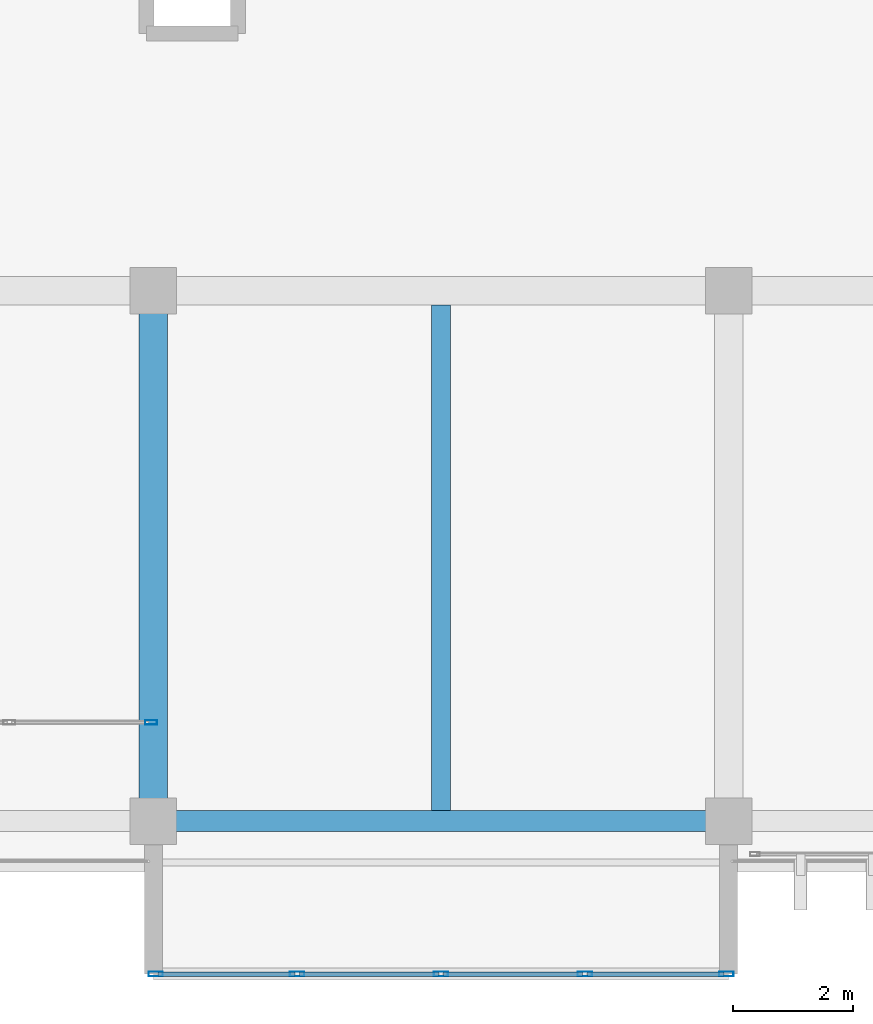
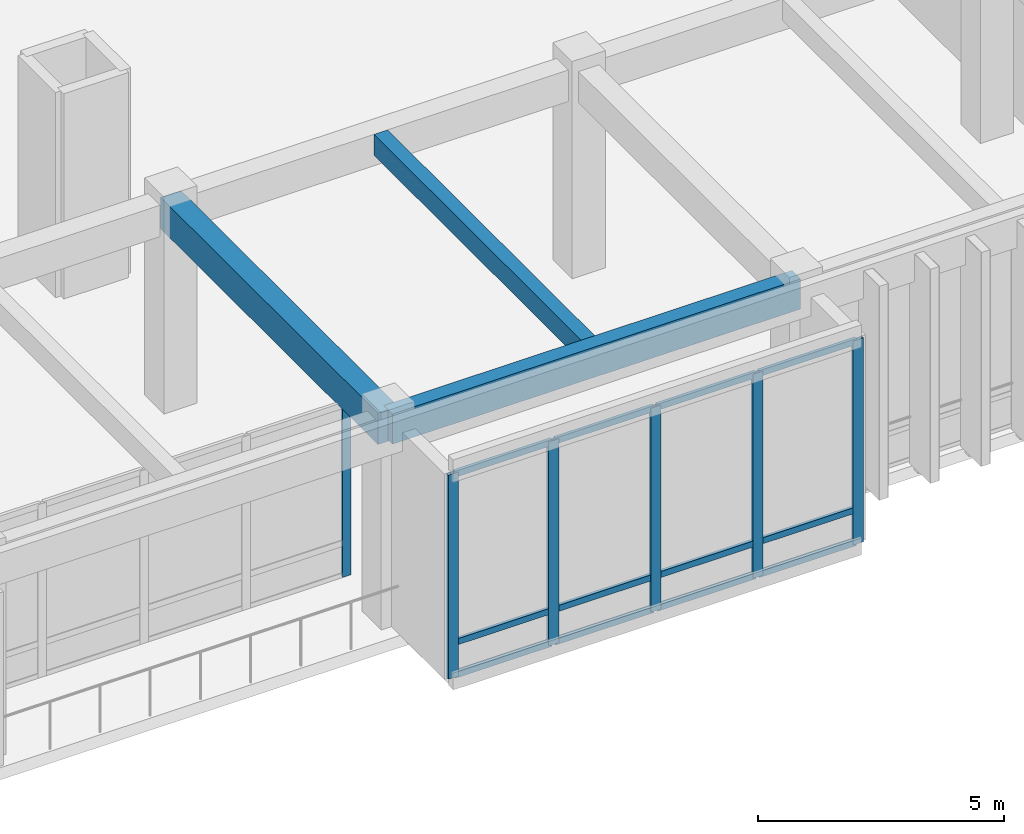
# One storey, part 18 of 134: 18 members, 3 beams, 2 elements without a shape of their own.
"""IFC4 building model written with IfcOpenShell, lengths in metres."""

from ifc_helpers import new_model, si_unit, direction, frame, origin, origin_2d, place, context, subcontext, project, spatial, rectangle, hollow_rectangle, extrude, material, layer, layer_set, material_profile, profile_set, type_object, element, aggregate, save


model = new_model("IFC4")

# Units and contexts
model_context = context("Model", 3, precision=1e-05, world=origin(), true_north=direction((0.0, 1.0)))
body_context = subcontext(model_context, "Body", "Model", "MODEL_VIEW")
ifc_project = project(units=[si_unit("LENGTHUNIT", "METRE"), si_unit("AREAUNIT", "SQUARE_METRE"), si_unit("VOLUMEUNIT", "CUBIC_METRE"), si_unit("PLANEANGLEUNIT", "RADIAN"), si_unit("MASSUNIT", "GRAM", prefix="KILO")], contexts=[model_context])

# Site, building, storey
site_placement = place(None, origin())
site = spatial("IfcSite", under=ifc_project, at=site_placement, CompositionType="ELEMENT")
building_placement = place(site_placement, origin())
building = spatial("IfcBuilding", under=site, at=building_placement, Name="Nakhvara Creek Congress Hotel", CompositionType="ELEMENT")
storey_placement = place(building_placement, frame((0.0, 0.0, 6.0)))
storey = spatial("IfcBuildingStorey", under=building, at=storey_placement, Name="L01", CompositionType="ELEMENT", Elevation=6.0)

# Beams
ifc_material_1 = material(Name="Concrete C40/50", Category="concrete")
ifc_material_profile_1 = material_profile(ifc_material_1, rectangle(XDim=0.320068359375, YDim=0.52001953125, at=origin_2d()), Name="RC-BM 320x520", Category="LoadBearing")
ifc_profile_set_1 = profile_set([ifc_material_profile_1], Name="Concrete C40/50")
beam_type_1 = type_object("IfcBeamType", Name="BM-RC-320X520", PredefinedType="JOIST", material=ifc_profile_set_1)
beam_1_placement = place(storey_placement, frame((100.800048828125, 0.925048828125, 4.840087890625), z_axis=(0.0, 1.0, 0.0), x_axis=(-1.0, 0.0, 0.0)))
element("IfcBeam", 1, at=beam_1_placement, inside=storey, type_object=beam_type_1, Name="Secondary Joist BJ2-L01-1374", PredefinedType="JOIST", context=body_context, shape_type="SweptSolid", body=[
    extrude(rectangle(XDim=0.320068359375, YDim=0.52001953125, at=origin_2d()), origin(), (0.0, 0.0, 1.0), 8.43505859375),
])
ifc_material_profile_2 = material_profile(ifc_material_1, rectangle(XDim=0.47998046875, YDim=0.780029296875, at=origin_2d()), Name="RC-BM 480x780", Category="LoadBearing")
ifc_profile_set_2 = profile_set([ifc_material_profile_2], Name="Concrete C40/50")
beam_type_2 = type_object("IfcBeamType", Name="BM-RC-480X780", PredefinedType="BEAM", material=ifc_profile_set_2)
beam_2_placement = place(storey_placement, frame((96.0, 0.75, 4.7099609375), z_axis=(0.0, 1.0, 0.0), x_axis=(-1.0, 0.0, 0.0)))
element("IfcBeam", 2, at=beam_2_placement, inside=storey, type_object=beam_type_2, Name="Beam B13-L01-1177", PredefinedType="BEAM", context=body_context, shape_type="SweptSolid", body=[
    extrude(rectangle(XDim=0.47998046875, YDim=0.780029296875, at=origin_2d()), origin(), (0.0, 0.0, 1.0), 8.85009765625),
])
ifc_material_profile_3 = material_profile(ifc_material_1, rectangle(XDim=0.35009765625, YDim=0.75, at=origin_2d()), Name="RC-SPANDREL 350x750", Category="LoadBearing")
ifc_profile_set_3 = profile_set([ifc_material_profile_3], Name="Concrete C40/50")
beam_type_3 = type_object("IfcBeamType", Name="BM-SPN-350X750", PredefinedType="SPANDREL", material=ifc_profile_set_3)
beam_3_placement = place(storey_placement, frame((96.0, 0.75, 4.72509765625), z_axis=(1.0, 0.0, 0.0), x_axis=(0.0, 1.0, 0.0)))
element("IfcBeam", 3, at=beam_3_placement, inside=storey, type_object=beam_type_3, Name="Beam SP1-L01-1178", PredefinedType="SPANDREL", context=body_context, shape_type="SweptSolid", body=[
    extrude(rectangle(XDim=0.35009765625, YDim=0.75, at=origin_2d()), origin(), (0.0, 0.0, 1.0), 9.60009765625),
])

# Curtain wall, member
ifc_material_2 = material(Name="Bronze-anodised aluminium AW-6063-T6 and double-silver low-E glass", Category="aluminium")
ifc_layer_1 = layer(ifc_material_2, 0.219970703125)
ifc_layer_set_1 = layer_set([ifc_layer_1], Name="Bronze-anodised aluminium AW-6063-T6 and double-silver low-E glass")
curtain_wall_type_1 = type_object("IfcCurtainWallType", Name="CW-BOX-REC", PredefinedType="USERDEFINED", material=ifc_layer_set_1)
curtain_wall_1_placement = place(storey_placement, origin())
curtain_wall_1 = element("IfcCurtainWall", 4, at=curtain_wall_1_placement, inside=storey, type_object=curtain_wall_type_1, Name="Curtain Wall CW076", ObjectType="UNITISED", PredefinedType="USERDEFINED")
ifc_material_3 = material(Name="Bronze-anodised aluminium AW-6063-T6", Category="aluminium")
ifc_material_profile_4 = material_profile(ifc_material_3, hollow_rectangle(XDim=0.074951171875, YDim=0.199951171875, WallThickness=0.0048828125, at=origin_2d()), Name="ALU-MULL 75x200x5", Category="LoadBearing")
ifc_profile_set_4 = profile_set([ifc_material_profile_4], Name="Bronze-anodised aluminium AW-6063-T6")
member_type_1 = type_object("IfcMemberType", Name="CW-MULL-200", PredefinedType="MULLION", material=ifc_profile_set_4)
member_1_placement = place(storey_placement, frame((95.96240234375, 2.39990234375, 0.0), z_axis=(0.0, 0.0, 1.0), x_axis=(0.0, -1.0, 0.0)))
member_1 = element("IfcMember", 5, at=member_1_placement, type_object=member_type_1, Name="CW076 mullion 1", PredefinedType="MULLION", context=body_context, shape_type="SweptSolid", body=[
    extrude(hollow_rectangle(XDim=0.074951171875, YDim=0.199951171875, WallThickness=0.0048828125, at=origin_2d()), origin(), (0.0, 0.0, 1.0), 4.31201171875),
])
aggregate(curtain_wall_1, [member_1])

# Curtain wall, members
ifc_layer_2 = layer(ifc_material_2, 0.219970703125)
ifc_layer_set_2 = layer_set([ifc_layer_2], Name="Bronze-anodised aluminium AW-6063-T6 and double-silver low-E glass")
curtain_wall_type_2 = type_object("IfcCurtainWallType", Name="CW-BOX-PROJ", PredefinedType="USERDEFINED", material=ifc_layer_set_2)
curtain_wall_2_placement = place(storey_placement, origin())
curtain_wall_2 = element("IfcCurtainWall", 6, at=curtain_wall_2_placement, inside=storey, type_object=curtain_wall_type_2, Name="Curtain Wall CW074", ObjectType="UNITISED", PredefinedType="USERDEFINED")
ifc_material_profile_5 = material_profile(ifc_material_3, hollow_rectangle(XDim=0.080078125, YDim=0.239990234375, WallThickness=0.0048828125, at=origin_2d()), Name="ALU-MULL 80x240x5", Category="LoadBearing")
ifc_profile_set_5 = profile_set([ifc_material_profile_5], Name="Bronze-anodised aluminium AW-6063-T6")
member_type_2 = type_object("IfcMemberType", Name="CW-MULL-240", PredefinedType="MULLION", material=ifc_profile_set_5)
member_2_placement = place(storey_placement, frame((105.56005859375, -1.800048828125, 0.0), z_axis=(0.0, 0.0, 1.0), x_axis=(0.0, -1.0, 0.0)))
member_2 = element("IfcMember", 7, at=member_2_placement, type_object=member_type_2, Name="CW074 mullion 1", PredefinedType="MULLION", context=body_context, shape_type="SweptSolid", body=[
    extrude(hollow_rectangle(XDim=0.080078125, YDim=0.239990234375, WallThickness=0.0048828125, at=origin_2d()), origin(), (0.0, 0.0, 1.0), 5.070068359375),
])
member_3_placement = place(storey_placement, frame((103.199951171875, -1.800048828125, 0.0), z_axis=(0.0, 0.0, 1.0), x_axis=(0.0, -1.0, 0.0)))
member_3 = element("IfcMember", 8, at=member_3_placement, type_object=member_type_2, Name="CW074 mullion 2", PredefinedType="MULLION", context=body_context, shape_type="SweptSolid", body=[
    extrude(hollow_rectangle(XDim=0.080078125, YDim=0.239990234375, WallThickness=0.0048828125, at=origin_2d()), origin(), (0.0, 0.0, 1.0), 5.070068359375),
])
member_4_placement = place(storey_placement, frame((100.800048828125, -1.800048828125, 0.0), z_axis=(0.0, 0.0, 1.0), x_axis=(0.0, -1.0, 0.0)))
member_4 = element("IfcMember", 9, at=member_4_placement, type_object=member_type_2, Name="CW074 mullion 3", PredefinedType="MULLION", context=body_context, shape_type="SweptSolid", body=[
    extrude(hollow_rectangle(XDim=0.080078125, YDim=0.239990234375, WallThickness=0.0048828125, at=origin_2d()), origin(), (0.0, 0.0, 1.0), 5.070068359375),
])
member_5_placement = place(storey_placement, frame((98.39990234375, -1.800048828125, 0.0), z_axis=(0.0, 0.0, 1.0), x_axis=(0.0, -1.0, 0.0)))
member_5 = element("IfcMember", 10, at=member_5_placement, type_object=member_type_2, Name="CW074 mullion 4", PredefinedType="MULLION", context=body_context, shape_type="SweptSolid", body=[
    extrude(hollow_rectangle(XDim=0.080078125, YDim=0.239990234375, WallThickness=0.0048828125, at=origin_2d()), origin(), (0.0, 0.0, 1.0), 5.070068359375),
])
member_6_placement = place(storey_placement, frame((96.0400390625, -1.800048828125, 0.0), z_axis=(0.0, 0.0, 1.0), x_axis=(0.0, -1.0, 0.0)))
member_6 = element("IfcMember", 11, at=member_6_placement, type_object=member_type_2, Name="CW074 mullion 5", PredefinedType="MULLION", context=body_context, shape_type="SweptSolid", body=[
    extrude(hollow_rectangle(XDim=0.080078125, YDim=0.239990234375, WallThickness=0.0048828125, at=origin_2d()), origin(), (0.0, 0.0, 1.0), 5.070068359375),
])
ifc_material_profile_6 = material_profile(ifc_material_3, hollow_rectangle(XDim=0.074951171875, YDim=0.14990234375, WallThickness=0.00390625, at=origin_2d()), Name="ALU-TRAN 75x150x4", Category="LoadBearing")
ifc_profile_set_6 = profile_set([ifc_material_profile_6], Name="Bronze-anodised aluminium AW-6063-T6")
member_type_3 = type_object("IfcMemberType", Name="CW-TRAN-150", PredefinedType="USERDEFINED", material=ifc_profile_set_6)
member_7_placement = place(storey_placement, frame((105.52001953125, -1.800048828125, 0.03759765625), z_axis=(-1.0, 0.0, 0.0), x_axis=(0.0, -1.0, 0.0)))
member_7 = element("IfcMember", 12, at=member_7_placement, type_object=member_type_3, Name="CW074 transom 1.1", ObjectType="TRANSOM", PredefinedType="USERDEFINED", context=body_context, shape_type="SweptSolid", body=[
    extrude(hollow_rectangle(XDim=0.074951171875, YDim=0.14990234375, WallThickness=0.00390625, at=origin_2d()), origin(), (0.0, 0.0, 1.0), 2.280029296875),
])
member_8_placement = place(storey_placement, frame((105.52001953125, -1.800048828125, 0.85009765625), z_axis=(-1.0, 0.0, 0.0), x_axis=(0.0, -1.0, 0.0)))
member_8 = element("IfcMember", 13, at=member_8_placement, type_object=member_type_3, Name="CW074 transom 1.2", ObjectType="TRANSOM", PredefinedType="USERDEFINED", context=body_context, shape_type="SweptSolid", body=[
    extrude(hollow_rectangle(XDim=0.074951171875, YDim=0.14990234375, WallThickness=0.00390625, at=origin_2d()), origin(), (0.0, 0.0, 1.0), 2.280029296875),
])
member_9_placement = place(storey_placement, frame((105.52001953125, -1.800048828125, 5.032470703125), z_axis=(-1.0, 0.0, 0.0), x_axis=(0.0, -1.0, 0.0)))
member_9 = element("IfcMember", 14, at=member_9_placement, type_object=member_type_3, Name="CW074 transom 1.3", ObjectType="TRANSOM", PredefinedType="USERDEFINED", context=body_context, shape_type="SweptSolid", body=[
    extrude(hollow_rectangle(XDim=0.074951171875, YDim=0.14990234375, WallThickness=0.00390625, at=origin_2d()), origin(), (0.0, 0.0, 1.0), 2.280029296875),
])
member_10_placement = place(storey_placement, frame((103.159912109375, -1.800048828125, 0.03759765625), z_axis=(-1.0, 0.0, 0.0), x_axis=(0.0, -1.0, 0.0)))
member_10 = element("IfcMember", 15, at=member_10_placement, type_object=member_type_3, Name="CW074 transom 2.1", ObjectType="TRANSOM", PredefinedType="USERDEFINED", context=body_context, shape_type="SweptSolid", body=[
    extrude(hollow_rectangle(XDim=0.074951171875, YDim=0.14990234375, WallThickness=0.00390625, at=origin_2d()), origin(), (0.0, 0.0, 1.0), 2.31982421875),
])
member_11_placement = place(storey_placement, frame((103.159912109375, -1.800048828125, 0.85009765625), z_axis=(-1.0, 0.0, 0.0), x_axis=(0.0, -1.0, 0.0)))
member_11 = element("IfcMember", 16, at=member_11_placement, type_object=member_type_3, Name="CW074 transom 2.2", ObjectType="TRANSOM", PredefinedType="USERDEFINED", context=body_context, shape_type="SweptSolid", body=[
    extrude(hollow_rectangle(XDim=0.074951171875, YDim=0.14990234375, WallThickness=0.00390625, at=origin_2d()), origin(), (0.0, 0.0, 1.0), 2.31982421875),
])
member_12_placement = place(storey_placement, frame((103.159912109375, -1.800048828125, 5.032470703125), z_axis=(-1.0, 0.0, 0.0), x_axis=(0.0, -1.0, 0.0)))
member_12 = element("IfcMember", 17, at=member_12_placement, type_object=member_type_3, Name="CW074 transom 2.3", ObjectType="TRANSOM", PredefinedType="USERDEFINED", context=body_context, shape_type="SweptSolid", body=[
    extrude(hollow_rectangle(XDim=0.074951171875, YDim=0.14990234375, WallThickness=0.00390625, at=origin_2d()), origin(), (0.0, 0.0, 1.0), 2.31982421875),
])
member_13_placement = place(storey_placement, frame((100.760009765625, -1.800048828125, 0.03759765625), z_axis=(-1.0, 0.0, 0.0), x_axis=(0.0, -1.0, 0.0)))
member_13 = element("IfcMember", 18, at=member_13_placement, type_object=member_type_3, Name="CW074 transom 3.1", ObjectType="TRANSOM", PredefinedType="USERDEFINED", context=body_context, shape_type="SweptSolid", body=[
    extrude(hollow_rectangle(XDim=0.074951171875, YDim=0.14990234375, WallThickness=0.00390625, at=origin_2d()), origin(), (0.0, 0.0, 1.0), 2.320068359375),
])
member_14_placement = place(storey_placement, frame((100.760009765625, -1.800048828125, 0.85009765625), z_axis=(-1.0, 0.0, 0.0), x_axis=(0.0, -1.0, 0.0)))
member_14 = element("IfcMember", 19, at=member_14_placement, type_object=member_type_3, Name="CW074 transom 3.2", ObjectType="TRANSOM", PredefinedType="USERDEFINED", context=body_context, shape_type="SweptSolid", body=[
    extrude(hollow_rectangle(XDim=0.074951171875, YDim=0.14990234375, WallThickness=0.00390625, at=origin_2d()), origin(), (0.0, 0.0, 1.0), 2.320068359375),
])
member_15_placement = place(storey_placement, frame((100.760009765625, -1.800048828125, 5.032470703125), z_axis=(-1.0, 0.0, 0.0), x_axis=(0.0, -1.0, 0.0)))
member_15 = element("IfcMember", 20, at=member_15_placement, type_object=member_type_3, Name="CW074 transom 3.3", ObjectType="TRANSOM", PredefinedType="USERDEFINED", context=body_context, shape_type="SweptSolid", body=[
    extrude(hollow_rectangle(XDim=0.074951171875, YDim=0.14990234375, WallThickness=0.00390625, at=origin_2d()), origin(), (0.0, 0.0, 1.0), 2.320068359375),
])
member_16_placement = place(storey_placement, frame((98.360107421875, -1.800048828125, 0.03759765625), z_axis=(-1.0, 0.0, 0.0), x_axis=(0.0, -1.0, 0.0)))
member_16 = element("IfcMember", 21, at=member_16_placement, type_object=member_type_3, Name="CW074 transom 4.1", ObjectType="TRANSOM", PredefinedType="USERDEFINED", context=body_context, shape_type="SweptSolid", body=[
    extrude(hollow_rectangle(XDim=0.074951171875, YDim=0.14990234375, WallThickness=0.00390625, at=origin_2d()), origin(), (0.0, 0.0, 1.0), 2.280029296875),
])
member_17_placement = place(storey_placement, frame((98.360107421875, -1.800048828125, 0.85009765625), z_axis=(-1.0, 0.0, 0.0), x_axis=(0.0, -1.0, 0.0)))
member_17 = element("IfcMember", 22, at=member_17_placement, type_object=member_type_3, Name="CW074 transom 4.2", ObjectType="TRANSOM", PredefinedType="USERDEFINED", context=body_context, shape_type="SweptSolid", body=[
    extrude(hollow_rectangle(XDim=0.074951171875, YDim=0.14990234375, WallThickness=0.00390625, at=origin_2d()), origin(), (0.0, 0.0, 1.0), 2.280029296875),
])
member_18_placement = place(storey_placement, frame((98.360107421875, -1.800048828125, 5.032470703125), z_axis=(-1.0, 0.0, 0.0), x_axis=(0.0, -1.0, 0.0)))
member_18 = element("IfcMember", 23, at=member_18_placement, type_object=member_type_3, Name="CW074 transom 4.3", ObjectType="TRANSOM", PredefinedType="USERDEFINED", context=body_context, shape_type="SweptSolid", body=[
    extrude(hollow_rectangle(XDim=0.074951171875, YDim=0.14990234375, WallThickness=0.00390625, at=origin_2d()), origin(), (0.0, 0.0, 1.0), 2.280029296875),
])
aggregate(curtain_wall_2, [member_2, member_3, member_4, member_5, member_6, member_7, member_8, member_9, member_10, member_11, member_12, member_13, member_14, member_15, member_16, member_17, member_18])

save(model, "model.ifc")
